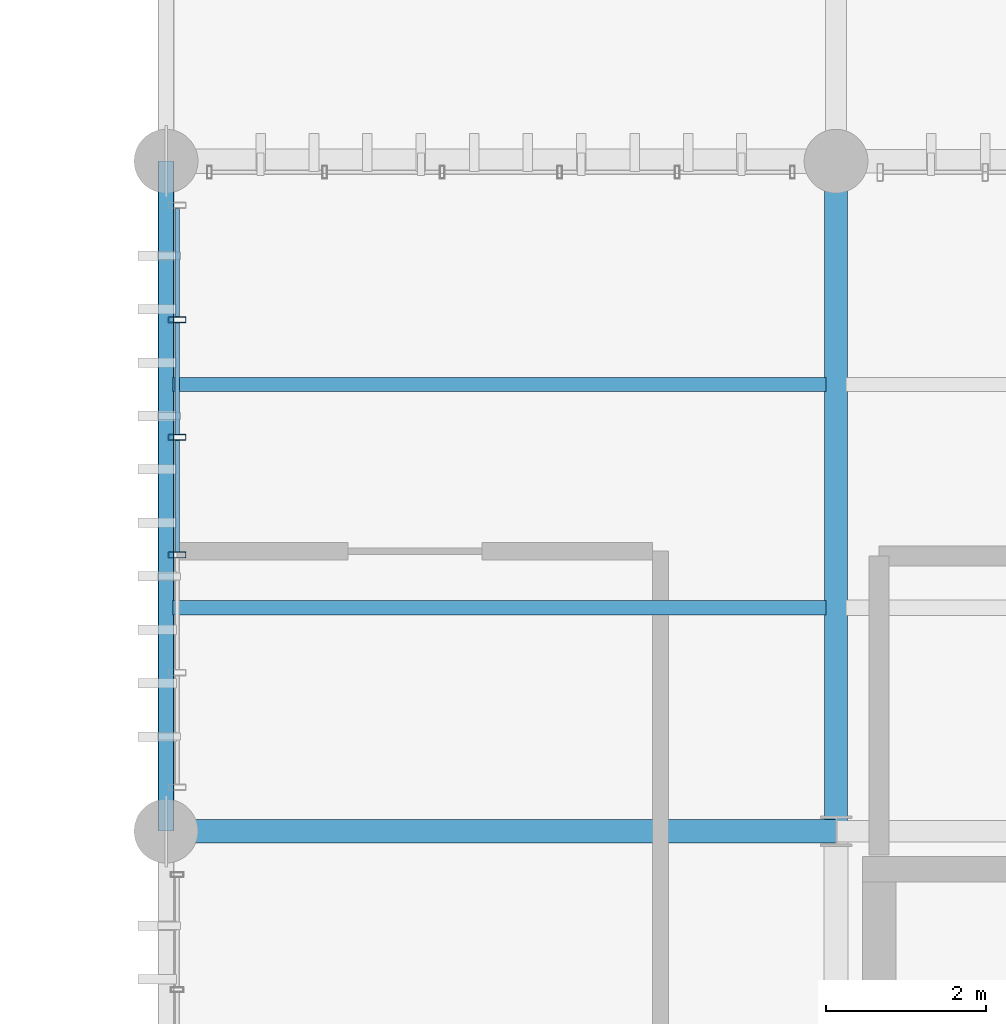
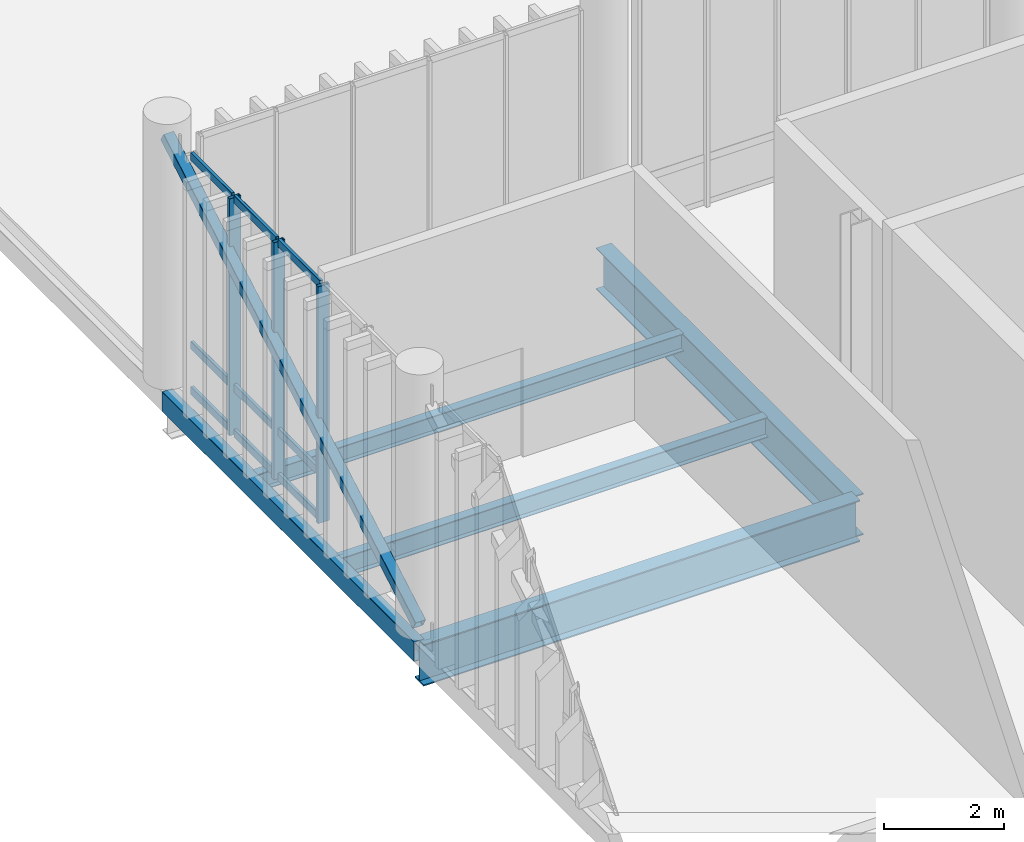
# One storey, part 81 of 128: 13 members, 5 beams, 1 element without a shape of its own.
"""IFC4 building model written with IfcOpenShell, lengths in metres."""

from ifc_helpers import new_model, si_unit, direction, frame, origin_with_axes, origin_2d_with_axis, place, context, subcontext, project, spatial, hollow_rectangle, i_section, extrude, material, material_profile, profile_set, type_object, element, aggregate, save


model = new_model("IFC4")

# Units and contexts
model_context = context("Model", 3, precision=1e-05, world=origin_with_axes(), true_north=direction((0.0, 1.0)))
body_context = subcontext(model_context, "Body", "Model", "MODEL_VIEW")
ifc_project = project(units=[si_unit("LENGTHUNIT", "METRE"), si_unit("AREAUNIT", "SQUARE_METRE"), si_unit("VOLUMEUNIT", "CUBIC_METRE"), si_unit("PLANEANGLEUNIT", "RADIAN"), si_unit("MASSUNIT", "GRAM", prefix="KILO"), si_unit("THERMODYNAMICTEMPERATUREUNIT", "KELVIN")], contexts=[model_context])

# Site, building, storey
site_placement = place(None, origin_with_axes())
site = spatial("IfcSite", under=ifc_project, at=site_placement, CompositionType="ELEMENT")
building_placement = place(site_placement, origin_with_axes())
building = spatial("IfcBuilding", under=site, at=building_placement, Name="Montbau Bow Law Courts", CompositionType="ELEMENT")
storey_placement = place(building_placement, frame((0.0, 0.0, 5.4), z_axis=(0.0, 0.0, 1.0), x_axis=(1.0, 0.0, 0.0)))
storey = spatial("IfcBuildingStorey", under=building, at=storey_placement, Name="L01", CompositionType="ELEMENT", Elevation=5.4)

# Beams
ifc_material_1 = material(Name="Steel CSA G40.21 Grade 350W (350 MPa)", Category="steel")
ifc_material_profile_1 = material_profile(ifc_material_1, i_section(OverallWidth=0.293, OverallDepth=0.846, WebThickness=0.0154, FlangeThickness=0.0244, at=origin_2d_with_axis()), Name="W840X210", Category="Main", Priority=0)
ifc_profile_set_1 = profile_set([ifc_material_profile_1], Name="Steel CSA G40.21 Grade 350W (350 MPa)")
beam_type_1 = type_object("IfcBeamType", Name="B-FLR-02", PredefinedType="BEAM", material=ifc_profile_set_1)
for number, where, z_axis, x_axis, name in (
    (1, (138.6, 94.8, 4.697), (1.0, 0.0, 0.0), (0.0, 1.0, 0.0), "BM-L01-S1114:bm2_1117"),
    (2, (147.0, 94.8, 4.697), (0.0, 1.0, 0.0), (-1.0, 0.0, 0.0), "BM-L01-S1141:bm2_1144"),
):
    element("IfcBeam", number, at=place(None, frame(where, z_axis=z_axis, x_axis=x_axis)), inside=storey, type_object=beam_type_1, Name=name, PredefinedType="BEAM", context=body_context, shape_type="SweptSolid", body=[
        extrude(i_section(OverallWidth=0.293, OverallDepth=0.846, WebThickness=0.0154, FlangeThickness=0.0244, at=origin_2d_with_axis()), origin_with_axes(), (0.0, 0.0, 1.0), 8.4),
    ])
ifc_material_profile_2 = material_profile(ifc_material_1, i_section(OverallWidth=0.179, OverallDepth=0.41, WebThickness=0.0088, FlangeThickness=0.0144, at=origin_2d_with_axis()), Name="W410X67", Category="Main", Priority=0)
ifc_profile_set_2 = profile_set([ifc_material_profile_2], Name="Steel CSA G40.21 Grade 350W (350 MPa)")
beam_type_2 = type_object("IfcBeamType", Name="B-JST-02", PredefinedType="JOIST", material=ifc_profile_set_2)
beam_1_placement = place(None, frame((138.68, 97.6, 4.915), z_axis=(1.0, 0.0, 0.0), x_axis=(0.0, 1.0, 0.0)))
element("IfcBeam", 3, at=beam_1_placement, inside=storey, type_object=beam_type_2, Name="JST-L01-S0569:jst2_0569", PredefinedType="JOIST", context=body_context, shape_type="SweptSolid", body=[
    extrude(i_section(OverallWidth=0.179, OverallDepth=0.41, WebThickness=0.0088, FlangeThickness=0.0144, at=origin_2d_with_axis()), origin_with_axes(), (0.0, 0.0, 1.0), 8.197),
])
ifc_material_profile_3 = material_profile(ifc_material_1, i_section(OverallWidth=0.172, OverallDepth=0.358, WebThickness=0.0079, FlangeThickness=0.0131, at=origin_2d_with_axis()), Name="W360X57", Category="Main", Priority=0)
ifc_profile_set_3 = profile_set([ifc_material_profile_3], Name="Steel CSA G40.21 Grade 350W (350 MPa)")
beam_type_3 = type_object("IfcBeamType", Name="B-JST-03", PredefinedType="JOIST", material=ifc_profile_set_3)
beam_2_placement = place(None, frame((138.68, 100.4, 4.941), z_axis=(1.0, 0.0, 0.0), x_axis=(0.0, 1.0, 0.0)))
element("IfcBeam", 4, at=beam_2_placement, inside=storey, type_object=beam_type_3, Name="JST-L01-S0570:jst2_0570", PredefinedType="JOIST", context=body_context, shape_type="SweptSolid", body=[
    extrude(i_section(OverallWidth=0.172, OverallDepth=0.358, WebThickness=0.0079, FlangeThickness=0.0131, at=origin_2d_with_axis()), origin_with_axes(), (0.0, 0.0, 1.0), 8.197),
])
ifc_material_2 = material(Name="Steel CSA G40.21 Grade 350WT (350 MPa)", Category="steel")
ifc_material_profile_4 = material_profile(ifc_material_2, hollow_rectangle(XDim=0.203, YDim=0.406, WallThickness=0.0127, InnerFilletRadius=0.0254, OuterFilletRadius=0.0127, at=origin_2d_with_axis()), Name="HSS406X203X13", Category="Main", Priority=0)
ifc_profile_set_4 = profile_set([ifc_material_profile_4], Name="Steel CSA G40.21 Grade 350WT (350 MPa)")
beam_type_4 = type_object("IfcBeamType", Name="B-SPN-01", PredefinedType="SPANDREL", material=ifc_profile_set_4)
beam_3_placement = place(None, frame((138.6, 94.8, 4.917), z_axis=(0.0, 1.0, 0.0), x_axis=(-1.0, 0.0, 0.0)))
element("IfcBeam", 5, at=beam_3_placement, inside=storey, type_object=beam_type_4, Name="SPN-L01-S1134:bm2_1137", PredefinedType="SPANDREL", context=body_context, shape_type="SweptSolid", body=[
    extrude(hollow_rectangle(XDim=0.203, YDim=0.406, WallThickness=0.0127, InnerFilletRadius=0.0254, OuterFilletRadius=0.0127, at=origin_2d_with_axis()), origin_with_axes(), (0.0, 0.0, 1.0), 8.4),
])

# Member
ifc_material_profile_5 = material_profile(ifc_material_1, hollow_rectangle(XDim=0.203, YDim=0.203, WallThickness=0.0111, InnerFilletRadius=0.0222, OuterFilletRadius=0.0111, at=origin_2d_with_axis()), Name="HSS203X203X11", Category="Main", Priority=0)
ifc_profile_set_5 = profile_set([ifc_material_profile_5], Name="Steel CSA G40.21 Grade 350W (350 MPa)")
member_type_1 = type_object("IfcMemberType", Name="M-BRC-02", PredefinedType="BRACE", material=ifc_profile_set_5)
member_1_placement = place(None, frame((138.6, 94.8, 5.45), z_axis=(0.0, 0.866147817, 0.499787913), x_axis=(-1.0, 0.0, 0.0)))
element("IfcMember", 6, at=member_1_placement, inside=storey, type_object=member_type_1, Name="Diagonal brace CBF-L01-067A", PredefinedType="BRACE", context=body_context, shape_type="SweptSolid", body=[
    extrude(hollow_rectangle(XDim=0.203, YDim=0.203, WallThickness=0.0111, InnerFilletRadius=0.0222, OuterFilletRadius=0.0111, at=origin_2d_with_axis()), origin_with_axes(), (0.0, 0.0, 1.0), 9.698114),
])

# Curtain wall, members
ifc_material_3 = material(Name="Thermally Broken Extruded Aluminium AA 6063-T6", Category="aluminium")
curtain_wall_type = type_object("IfcCurtainWallType", Name="CW-SLT-01", PredefinedType="NOTDEFINED", material=ifc_material_3)
curtain_wall_placement = place(None, frame((138.74, 95.315, 5.4), z_axis=(0.0, 0.0, 1.0), x_axis=(1.0, 0.0, 0.0)))
curtain_wall = element("IfcCurtainWall", 7, at=curtain_wall_placement, inside=storey, type_object=curtain_wall_type, Name="CW-L01-288:cw_0288", PredefinedType="NOTDEFINED")
ifc_material_profile_6 = material_profile(ifc_material_3, hollow_rectangle(XDim=0.075, YDim=0.22, WallThickness=0.005, InnerFilletRadius=0.01, OuterFilletRadius=0.005, at=origin_2d_with_axis()), Name="CWM-220X75", Category="Main", Priority=0)
ifc_profile_set_6 = profile_set([ifc_material_profile_6], Name="Thermally Broken Extruded Aluminium AA 6063-T6")
member_type_2 = type_object("IfcMemberType", Name="M-MUL-01", PredefinedType="MULLION", material=ifc_profile_set_6)
member_2_placement = place(None, frame((138.74, 98.263, 5.4), z_axis=(0.0, 0.0, 1.0), x_axis=(0.0, 1.0, 0.0)))
member_2 = element("IfcMember", 8, at=member_2_placement, type_object=member_type_2, Name="CW-L01-288-M03:cw_0288_M03", PredefinedType="MULLION", context=body_context, shape_type="SweptSolid", body=[
    extrude(hollow_rectangle(XDim=0.075, YDim=0.22, WallThickness=0.005, InnerFilletRadius=0.01, OuterFilletRadius=0.005, at=origin_2d_with_axis()), origin_with_axes(), (0.0, 0.0, 1.0), 4.82),
])
member_3_placement = place(None, frame((138.74, 99.737, 5.4), z_axis=(0.0, 0.0, 1.0), x_axis=(0.0, 1.0, 0.0)))
member_3 = element("IfcMember", 9, at=member_3_placement, type_object=member_type_2, Name="CW-L01-288-M04:cw_0288_M04", PredefinedType="MULLION", context=body_context, shape_type="SweptSolid", body=[
    extrude(hollow_rectangle(XDim=0.075, YDim=0.22, WallThickness=0.005, InnerFilletRadius=0.01, OuterFilletRadius=0.005, at=origin_2d_with_axis()), origin_with_axes(), (0.0, 0.0, 1.0), 4.82),
])
member_4_placement = place(None, frame((138.74, 101.211, 5.4), z_axis=(0.0, 0.0, 1.0), x_axis=(0.0, 1.0, 0.0)))
member_4 = element("IfcMember", 10, at=member_4_placement, type_object=member_type_2, Name="CW-L01-288-M05:cw_0288_M05", PredefinedType="MULLION", context=body_context, shape_type="SweptSolid", body=[
    extrude(hollow_rectangle(XDim=0.075, YDim=0.22, WallThickness=0.005, InnerFilletRadius=0.01, OuterFilletRadius=0.005, at=origin_2d_with_axis()), origin_with_axes(), (0.0, 0.0, 1.0), 4.82),
])
ifc_material_profile_7 = material_profile(ifc_material_3, hollow_rectangle(XDim=0.06, YDim=0.16, WallThickness=0.004, InnerFilletRadius=0.008, OuterFilletRadius=0.004, at=origin_2d_with_axis()), Name="CWT-160X60", Category="Main", Priority=0)
ifc_profile_set_7 = profile_set([ifc_material_profile_7], Name="Thermally Broken Extruded Aluminium AA 6063-T6")
member_type_3 = type_object("IfcMemberType", Name="M-TRN-01", PredefinedType="USERDEFINED", material=ifc_profile_set_7)
member_5_placement = place(None, frame((138.74, 98.302, 5.43), z_axis=(0.0, 1.0, 0.0), x_axis=(-1.0, 0.0, 0.0)))
member_5 = element("IfcMember", 11, at=member_5_placement, type_object=member_type_3, Name="CW-L01-288-T03-1:cw_0288_T03_1", ObjectType="TRANSOM", PredefinedType="USERDEFINED", context=body_context, shape_type="SweptSolid", body=[
    extrude(hollow_rectangle(XDim=0.06, YDim=0.16, WallThickness=0.004, InnerFilletRadius=0.008, OuterFilletRadius=0.004, at=origin_2d_with_axis()), origin_with_axes(), (0.0, 0.0, 1.0), 1.396),
])
member_6_placement = place(None, frame((138.74, 98.302, 6.35), z_axis=(0.0, 1.0, 0.0), x_axis=(-1.0, 0.0, 0.0)))
member_6 = element("IfcMember", 12, at=member_6_placement, type_object=member_type_3, Name="CW-L01-288-T03-2:cw_0288_T03_2", ObjectType="TRANSOM", PredefinedType="USERDEFINED", context=body_context, shape_type="SweptSolid", body=[
    extrude(hollow_rectangle(XDim=0.06, YDim=0.16, WallThickness=0.004, InnerFilletRadius=0.008, OuterFilletRadius=0.004, at=origin_2d_with_axis()), origin_with_axes(), (0.0, 0.0, 1.0), 1.396),
])
member_7_placement = place(None, frame((138.74, 98.302, 10.19), z_axis=(0.0, 1.0, 0.0), x_axis=(-1.0, 0.0, 0.0)))
member_7 = element("IfcMember", 13, at=member_7_placement, type_object=member_type_3, Name="CW-L01-288-T03-3:cw_0288_T03_3", ObjectType="TRANSOM", PredefinedType="USERDEFINED", context=body_context, shape_type="SweptSolid", body=[
    extrude(hollow_rectangle(XDim=0.06, YDim=0.16, WallThickness=0.004, InnerFilletRadius=0.008, OuterFilletRadius=0.004, at=origin_2d_with_axis()), origin_with_axes(), (0.0, 0.0, 1.0), 1.396),
])
member_8_placement = place(None, frame((138.74, 99.776, 5.43), z_axis=(0.0, 1.0, 0.0), x_axis=(-1.0, 0.0, 0.0)))
member_8 = element("IfcMember", 14, at=member_8_placement, type_object=member_type_3, Name="CW-L01-288-T04-1:cw_0288_T04_1", ObjectType="TRANSOM", PredefinedType="USERDEFINED", context=body_context, shape_type="SweptSolid", body=[
    extrude(hollow_rectangle(XDim=0.06, YDim=0.16, WallThickness=0.004, InnerFilletRadius=0.008, OuterFilletRadius=0.004, at=origin_2d_with_axis()), origin_with_axes(), (0.0, 0.0, 1.0), 1.396),
])
member_9_placement = place(None, frame((138.74, 99.776, 6.35), z_axis=(0.0, 1.0, 0.0), x_axis=(-1.0, 0.0, 0.0)))
member_9 = element("IfcMember", 15, at=member_9_placement, type_object=member_type_3, Name="CW-L01-288-T04-2:cw_0288_T04_2", ObjectType="TRANSOM", PredefinedType="USERDEFINED", context=body_context, shape_type="SweptSolid", body=[
    extrude(hollow_rectangle(XDim=0.06, YDim=0.16, WallThickness=0.004, InnerFilletRadius=0.008, OuterFilletRadius=0.004, at=origin_2d_with_axis()), origin_with_axes(), (0.0, 0.0, 1.0), 1.396),
])
member_10_placement = place(None, frame((138.74, 99.776, 10.19), z_axis=(0.0, 1.0, 0.0), x_axis=(-1.0, 0.0, 0.0)))
member_10 = element("IfcMember", 16, at=member_10_placement, type_object=member_type_3, Name="CW-L01-288-T04-3:cw_0288_T04_3", ObjectType="TRANSOM", PredefinedType="USERDEFINED", context=body_context, shape_type="SweptSolid", body=[
    extrude(hollow_rectangle(XDim=0.06, YDim=0.16, WallThickness=0.004, InnerFilletRadius=0.008, OuterFilletRadius=0.004, at=origin_2d_with_axis()), origin_with_axes(), (0.0, 0.0, 1.0), 1.396),
])
member_11_placement = place(None, frame((138.74, 101.25, 5.43), z_axis=(0.0, 1.0, 0.0), x_axis=(-1.0, 0.0, 0.0)))
member_11 = element("IfcMember", 17, at=member_11_placement, type_object=member_type_3, Name="CW-L01-288-T05-1:cw_0288_T05_1", ObjectType="TRANSOM", PredefinedType="USERDEFINED", context=body_context, shape_type="SweptSolid", body=[
    extrude(hollow_rectangle(XDim=0.06, YDim=0.16, WallThickness=0.004, InnerFilletRadius=0.008, OuterFilletRadius=0.004, at=origin_2d_with_axis()), origin_with_axes(), (0.0, 0.0, 1.0), 1.359),
])
member_12_placement = place(None, frame((138.74, 101.25, 6.35), z_axis=(0.0, 1.0, 0.0), x_axis=(-1.0, 0.0, 0.0)))
member_12 = element("IfcMember", 18, at=member_12_placement, type_object=member_type_3, Name="CW-L01-288-T05-2:cw_0288_T05_2", ObjectType="TRANSOM", PredefinedType="USERDEFINED", context=body_context, shape_type="SweptSolid", body=[
    extrude(hollow_rectangle(XDim=0.06, YDim=0.16, WallThickness=0.004, InnerFilletRadius=0.008, OuterFilletRadius=0.004, at=origin_2d_with_axis()), origin_with_axes(), (0.0, 0.0, 1.0), 1.359),
])
member_13_placement = place(None, frame((138.74, 101.25, 10.19), z_axis=(0.0, 1.0, 0.0), x_axis=(-1.0, 0.0, 0.0)))
member_13 = element("IfcMember", 19, at=member_13_placement, type_object=member_type_3, Name="CW-L01-288-T05-3:cw_0288_T05_3", ObjectType="TRANSOM", PredefinedType="USERDEFINED", context=body_context, shape_type="SweptSolid", body=[
    extrude(hollow_rectangle(XDim=0.06, YDim=0.16, WallThickness=0.004, InnerFilletRadius=0.008, OuterFilletRadius=0.004, at=origin_2d_with_axis()), origin_with_axes(), (0.0, 0.0, 1.0), 1.359),
])
aggregate(curtain_wall, [member_2, member_3, member_4, member_5, member_6, member_7, member_8, member_9, member_10, member_11, member_12, member_13])

save(model, "model.ifc")
